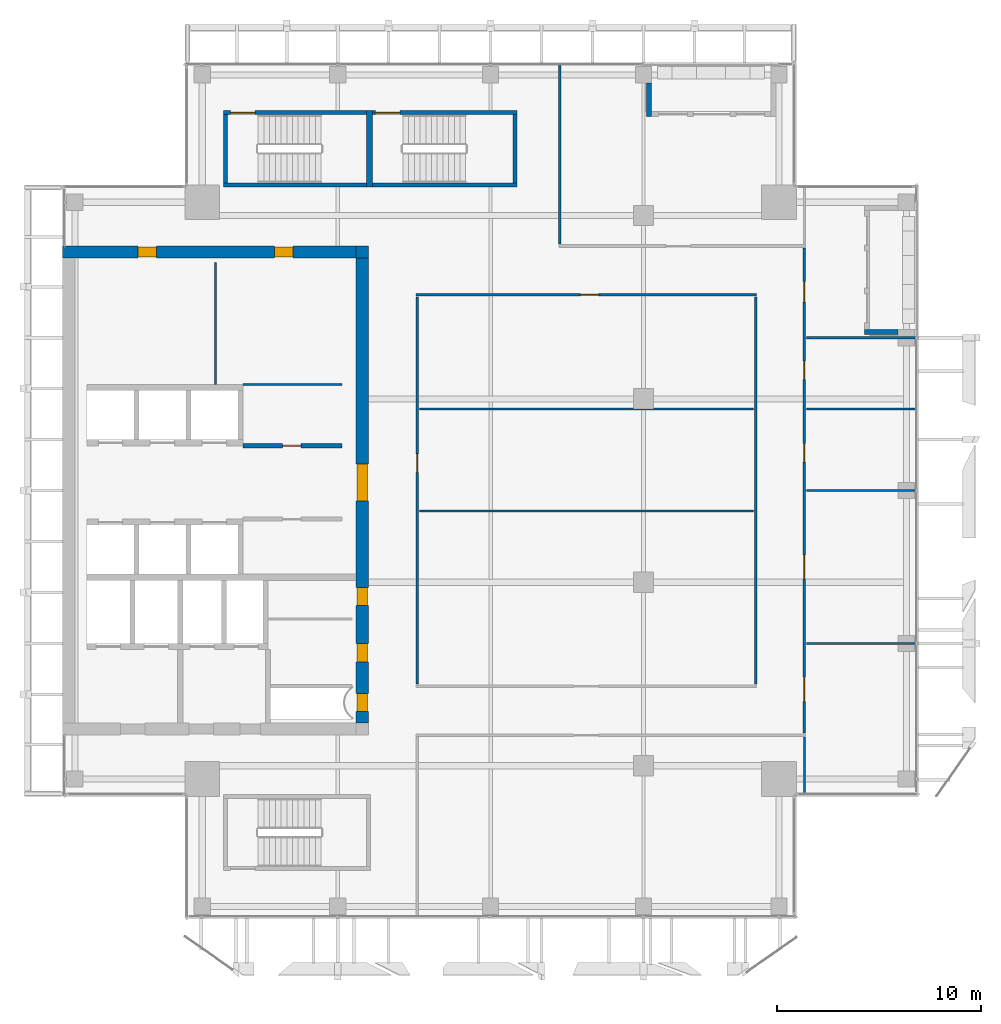
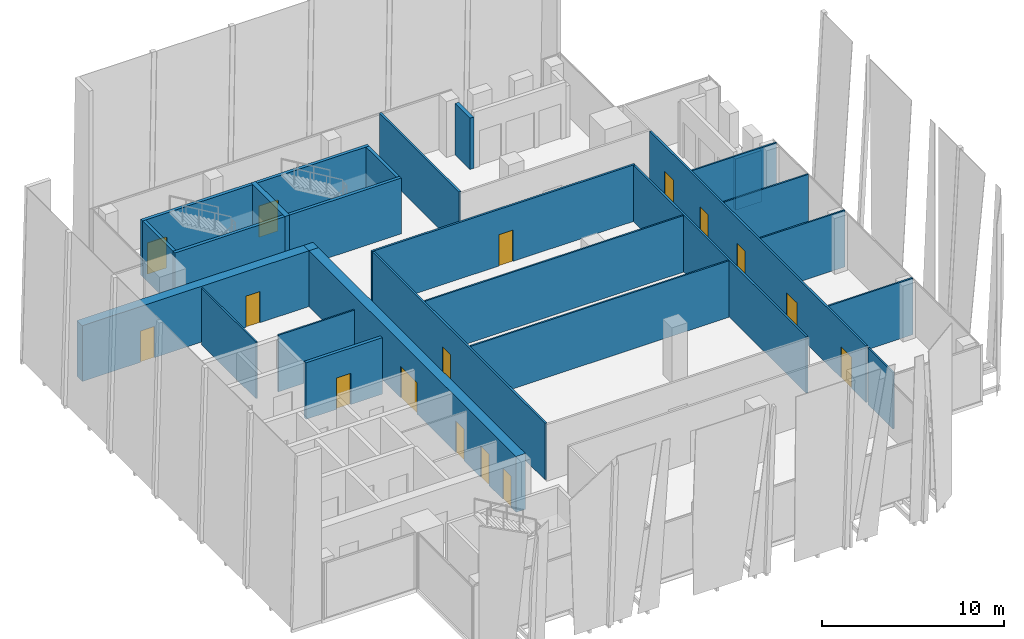
# One storey, part 27 of 32: 27 walls, 16 doors, 16 openings.
"""IFC4 building model written with IfcOpenShell, lengths in metres."""

from ifc_helpers import new_model, si_unit, direction, frame, frame_2d, origin, place, context, subcontext, project, spatial, rectangle, extrude, source, transform, mapped, material, layer, layer_set, type_object, element, fill, save


model = new_model("IFC4")

# Units and contexts
model_context = context("Model", 3, precision=1e-05, world=origin(), true_north=direction((0.0, 1.0)))
body_context = subcontext(model_context, "Body", "Model", "MODEL_VIEW")
ifc_project = project(units=[si_unit("LENGTHUNIT", "METRE"), si_unit("AREAUNIT", "SQUARE_METRE"), si_unit("VOLUMEUNIT", "CUBIC_METRE"), si_unit("PLANEANGLEUNIT", "RADIAN"), si_unit("MASSUNIT", "GRAM", prefix="KILO")], contexts=[model_context])

# Site, building, storey
site_placement = place(None, origin())
site = spatial("IfcSite", under=ifc_project, at=site_placement, CompositionType="ELEMENT")
building_placement = place(site_placement, origin())
building = spatial("IfcBuilding", under=site, at=building_placement, Name="Khomas Fold Tower", CompositionType="ELEMENT")
storey_placement = place(building_placement, frame((0.0, 0.0, 306.199951171875)))
storey = spatial("IfcBuildingStorey", under=building, at=storey_placement, Name="L69", CompositionType="ELEMENT", Elevation=306.199951171875)

# Wall, opening, door
ifc_material_1 = material(Name="Concrete C50/60", Category="concrete")
ifc_layer_1 = layer(ifc_material_1, 0.199951171875)
ifc_layer_set_1 = layer_set([ifc_layer_1], Name="Concrete C50/60")
wall_type_1 = type_object("IfcWallType", Name="Stair wall 200", PredefinedType="SHEAR", material=ifc_layer_set_1)
shared_shape_1 = source(origin(), body_context, "Body", "SweptSolid", [
    extrude(rectangle(XDim=7.0, YDim=0.199951171875, at=frame_2d((3.5, 0.0))), origin(), (0.0, 0.0, 1.0), 3.75),
])
wall_1_placement = place(storey_placement, frame((13.89990234375, 45.550048828125, 0.0), z_axis=(0.0, 0.0, 1.0), x_axis=(1.0, 0.0, 0.0)))
wall_1 = element("IfcWall", 1, at=wall_1_placement, inside=storey, type_object=wall_type_1, Name="Stair wall SW-ST1-N", PredefinedType="SHEAR", context=body_context, shape_type="MappedRepresentation", body=[
    mapped(shared_shape_1, transform((0.0, 0.0, 0.0))),
])
shared_shape_2 = source(origin(), body_context, "Body", "SweptSolid", [
    extrude(rectangle(XDim=1.199951171875, YDim=2.10009765625, at=frame_2d((0.60009765625, 1.050048828125))), frame((0.0, 0.10986328125, 0.0), z_axis=(0.0, -1.0, 0.0), x_axis=(1.0, 0.0, 0.0)), (0.0, 0.0, 1.0), 0.219970703125),
])
opening_1_placement = place(wall_1_placement, frame((0.35009765625, 0.0, 0.0)))
opening_1 = element("IfcOpeningElement", 2, at=opening_1_placement, cuts=wall_1, Name="Opening SD-ST1", PredefinedType="OPENING", context=body_context, shape_type="MappedRepresentation", body=[
    mapped(shared_shape_2, transform((0.0, 0.0, 0.0))),
])
ifc_material_2 = material(Name="Steel door leaf", Category="steel")
door_type_1 = type_object("IfcDoorType", Name="Stair door 1200x2100 left-hand", OperationType="SINGLE_SWING_LEFT", PredefinedType="DOOR", material=ifc_material_2)
shared_shape_3 = source(origin(), body_context, "Body", "SweptSolid", [
    extrude(rectangle(XDim=1.199951171875, YDim=2.10009765625, at=frame_2d((0.60009765625, 1.050048828125))), frame((0.0, 0.02490234375, 0.0), z_axis=(0.0, -1.0, 0.0), x_axis=(1.0, 0.0, 0.0)), (0.0, 0.0, 1.0), 0.050048828125),
])
door_1_placement = place(opening_1_placement, origin())
door_1 = element("IfcDoor", 3, at=door_1_placement, inside=storey, type_object=door_type_1, Name="Stair door", OperationType="SINGLE_SWING_LEFT", OverallHeight=2.10009765625, OverallWidth=1.199951171875, PredefinedType="DOOR", context=body_context, shape_type="MappedRepresentation", body=[
    mapped(shared_shape_3, transform((0.0, 0.0, 0.0))),
])
fill(opening_1, door_1)

# Wall
wall_2_placement = place(storey_placement, frame((13.89990234375, 42.0, 0.0), z_axis=(0.0, 0.0, 1.0), x_axis=(1.0, 0.0, 0.0)))
element("IfcWall", 4, at=wall_2_placement, inside=storey, type_object=wall_type_1, Name="Stair wall SW-ST1-S", PredefinedType="SHEAR", context=body_context, shape_type="MappedRepresentation", body=[
    mapped(shared_shape_1, transform((0.0, 0.0, 0.0))),
])

# Wall, opening, door
shared_shape_4 = source(origin(), body_context, "Body", "SweptSolid", [
    extrude(rectangle(XDim=7.10009765625, YDim=0.199951171875, at=frame_2d((3.550048828125, 0.0))), origin(), (0.0, 0.0, 1.0), 3.75),
])
wall_3_placement = place(storey_placement, frame((21.199951171875, 45.550048828125, 0.0), z_axis=(0.0, 0.0, 1.0), x_axis=(1.0, 0.0, 0.0)))
wall_3 = element("IfcWall", 5, at=wall_3_placement, inside=storey, type_object=wall_type_1, Name="Stair wall SW-ST3-N", PredefinedType="SHEAR", context=body_context, shape_type="MappedRepresentation", body=[
    mapped(shared_shape_4, transform((0.0, 0.0, 0.0))),
])
opening_2_placement = place(wall_3_placement, frame((0.14990234375, 0.0, 0.0)))
opening_2 = element("IfcOpeningElement", 6, at=opening_2_placement, cuts=wall_3, Name="Opening SD-ST3", PredefinedType="OPENING", context=body_context, shape_type="MappedRepresentation", body=[
    mapped(shared_shape_2, transform((0.0, 0.0, 0.0))),
])
door_2_placement = place(opening_2_placement, origin())
door_2 = element("IfcDoor", 7, at=door_2_placement, inside=storey, type_object=door_type_1, Name="Stair door", OperationType="SINGLE_SWING_LEFT", OverallHeight=2.10009765625, OverallWidth=1.199951171875, PredefinedType="DOOR", context=body_context, shape_type="MappedRepresentation", body=[
    mapped(shared_shape_3, transform((0.0, 0.0, 0.0))),
])
fill(opening_2, door_2)

# Walls
wall_4_placement = place(storey_placement, frame((21.199951171875, 42.0, 0.0), z_axis=(0.0, 0.0, 1.0), x_axis=(1.0, 0.0, 0.0)))
element("IfcWall", 8, at=wall_4_placement, inside=storey, type_object=wall_type_1, Name="Stair wall SW-ST3-S", PredefinedType="SHEAR", context=body_context, shape_type="MappedRepresentation", body=[
    mapped(shared_shape_4, transform((0.0, 0.0, 0.0))),
])
ifc_material_3 = material(Name="Concrete C50/60", Category="concrete")
ifc_layer_2 = layer(ifc_material_3, 0.300048828125)
ifc_layer_set_2 = layer_set([ifc_layer_2], Name="Concrete C50/60")
wall_type_2 = type_object("IfcWallType", Name="Stair wall 300", PredefinedType="SHEAR", material=ifc_layer_set_2)
shared_shape_5 = source(origin(), body_context, "Body", "SweptSolid", [
    extrude(rectangle(XDim=3.75, YDim=0.300048828125, at=frame_2d((1.875, 0.0))), origin(), (0.0, 0.0, 1.0), 3.75),
])
wall_5_placement = place(storey_placement, frame((21.050048828125, 41.89990234375, 0.0), z_axis=(0.0, 0.0, 1.0), x_axis=(0.0, 1.0, 0.0)))
element("IfcWall", 9, at=wall_5_placement, inside=storey, type_object=wall_type_2, Name="Stair wall SW-ST1-E", PredefinedType="SHEAR", context=body_context, shape_type="MappedRepresentation", body=[
    mapped(shared_shape_5, transform((0.0, 0.0, 0.0))),
])
shared_shape_6 = source(origin(), body_context, "Body", "SweptSolid", [
    extrude(rectangle(XDim=3.349853515625, YDim=0.199951171875, at=frame_2d((1.6748046875, 0.0))), origin(), (0.0, 0.0, 1.0), 3.75),
])
for number, where, z_axis, x_axis, name in (
    (10, (14.0, 42.10009765625, 0.0), (0.0, 0.0, 1.0), (0.0, 1.0, 0.0), "Stair wall SW-ST1-W"),
    (11, (28.199951171875, 42.10009765625, 0.0), (0.0, 0.0, 1.0), (0.0, 1.0, 0.0), "Stair wall SW-ST3-E"),
):
    element("IfcWall", number, at=place(storey_placement, frame(where, z_axis=z_axis, x_axis=x_axis)), inside=storey, type_object=wall_type_1, Name=name, PredefinedType="SHEAR", context=body_context, shape_type="MappedRepresentation", body=[
        mapped(shared_shape_6, transform((0.0, 0.0, 0.0))),
    ])

# Wall, openings, doors
ifc_material_4 = material(Name="Concrete C50/60", Category="concrete")
ifc_layer_3 = layer(ifc_material_4, 0.60009765625)
ifc_layer_set_3 = layer_set([ifc_layer_3], Name="Concrete C50/60")
wall_type_3 = type_object("IfcWallType", Name="Core wall 600", PredefinedType="SHEAR", material=ifc_layer_set_3)
shared_shape_7 = source(origin(), body_context, "Body", "SweptSolid", [
    extrude(rectangle(XDim=14.39990234375, YDim=0.60009765625, at=frame_2d((7.199951171875, 0.0))), origin(), (0.0, 0.0, 1.0), 3.75),
])
wall_6_placement = place(storey_placement, frame((6.0, 38.699951171875, 0.0), z_axis=(0.0, 0.0, 1.0), x_axis=(1.0, 0.0, 0.0)))
wall_6 = element("IfcWall", 12, at=wall_6_placement, inside=storey, type_object=wall_type_3, Name="Core wall CW-U-N-L63", PredefinedType="SHEAR", context=body_context, shape_type="MappedRepresentation", body=[
    mapped(shared_shape_7, transform((0.0, 0.0, 0.0))),
])
shared_shape_8 = source(origin(), body_context, "Body", "SweptSolid", [
    extrude(rectangle(XDim=0.89990234375, YDim=2.10009765625, at=frame_2d((0.449951171875, 1.050048828125))), frame((0.0, 0.31005859375, 0.0), z_axis=(0.0, -1.0, 0.0), x_axis=(1.0, 0.0, 0.0)), (0.0, 0.0, 1.0), 0.6201171875),
])
opening_3_placement = place(wall_6_placement, frame((3.699951171875, 0.0, 0.0)))
opening_3 = element("IfcOpeningElement", 13, at=opening_3_placement, cuts=wall_6, Name="Opening 0008", PredefinedType="OPENING", context=body_context, shape_type="MappedRepresentation", body=[
    mapped(shared_shape_8, transform((0.0, 0.0, 0.0))),
])
opening_4_placement = place(wall_6_placement, frame((10.39990234375, 0.0, 0.0)))
opening_4 = element("IfcOpeningElement", 14, at=opening_4_placement, cuts=wall_6, Name="Opening 0008", PredefinedType="OPENING", context=body_context, shape_type="MappedRepresentation", body=[
    mapped(shared_shape_8, transform((0.0, 0.0, 0.0))),
])
ifc_material_5 = material(Name="Timber door leaf", Category="wood")
door_type_2 = type_object("IfcDoorType", Name="Door 900x2100 right-hand", OperationType="SINGLE_SWING_RIGHT", PredefinedType="DOOR", material=ifc_material_5)
shared_shape_9 = source(origin(), body_context, "Body", "SweptSolid", [
    extrude(rectangle(XDim=0.89990234375, YDim=2.10009765625, at=frame_2d((0.449951171875, 1.050048828125))), frame((0.0, 0.25, 0.0), z_axis=(0.0, -1.0, 0.0), x_axis=(1.0, 0.0, 0.0)), (0.0, 0.0, 1.0), 0.5),
])
door_3_placement = place(opening_3_placement, origin())
door_3 = element("IfcDoor", 15, at=door_3_placement, inside=storey, type_object=door_type_2, Name="Door", OperationType="SINGLE_SWING_RIGHT", OverallHeight=2.10009765625, OverallWidth=0.89990234375, PredefinedType="DOOR", context=body_context, shape_type="MappedRepresentation", body=[
    mapped(shared_shape_9, transform((0.0, 0.0, 0.0))),
])
fill(opening_3, door_3)
door_4_placement = place(opening_4_placement, origin())
door_4 = element("IfcDoor", 16, at=door_4_placement, inside=storey, type_object=door_type_2, Name="Door", OperationType="SINGLE_SWING_RIGHT", OverallHeight=2.10009765625, OverallWidth=0.89990234375, PredefinedType="DOOR", context=body_context, shape_type="MappedRepresentation", body=[
    mapped(shared_shape_9, transform((0.0, 0.0, 0.0))),
])
fill(opening_4, door_4)

# Wall
ifc_material_6 = material(Name="Concrete C50/60", Category="concrete")
ifc_layer_4 = layer(ifc_material_6, 0.60009765625)
ifc_layer_set_4 = layer_set([ifc_layer_4], Name="Concrete C50/60")
wall_type_4 = type_object("IfcWallType", Name="Core corner wall 600", PredefinedType="SHEAR", material=ifc_layer_set_4)
shared_shape_10 = source(origin(), body_context, "Body", "SweptSolid", [
    extrude(rectangle(XDim=0.60009765625, YDim=0.60009765625, at=frame_2d((0.300048828125, 0.0))), origin(), (0.0, 0.0, 1.0), 3.75),
])
wall_7_placement = place(storey_placement, frame((20.39990234375, 38.699951171875, 0.0), z_axis=(0.0, 0.0, 1.0), x_axis=(1.0, 0.0, 0.0)))
element("IfcWall", 17, at=wall_7_placement, inside=storey, type_object=wall_type_4, Name="Core wall CW-U-NE-L63", PredefinedType="SHEAR", context=body_context, shape_type="MappedRepresentation", body=[
    mapped(shared_shape_10, transform((0.0, 0.0, 0.0))),
])

# Wall, openings, doors
shared_shape_11 = source(origin(), body_context, "Body", "SweptSolid", [
    extrude(rectangle(XDim=22.7998046875, YDim=0.60009765625, at=frame_2d((11.39990234375, 0.0))), origin(), (0.0, 0.0, 1.0), 3.75),
])
wall_8_placement = place(storey_placement, frame((20.699951171875, 15.60009765625, 0.0), z_axis=(0.0, 0.0, 1.0), x_axis=(0.0, 1.0, 0.0)))
wall_8 = element("IfcWall", 18, at=wall_8_placement, inside=storey, type_object=wall_type_3, Name="Core wall CW-U-E-L63", PredefinedType="SHEAR", context=body_context, shape_type="MappedRepresentation", body=[
    mapped(shared_shape_11, transform((0.0, 0.0, 0.0))),
])
shared_shape_12 = source(origin(), body_context, "Body", "SweptSolid", [
    extrude(rectangle(XDim=1.800048828125, YDim=2.10009765625, at=frame_2d((0.89990234375, 1.050048828125))), frame((0.0, 0.31005859375, 0.0), z_axis=(0.0, -1.0, 0.0), x_axis=(1.0, 0.0, 0.0)), (0.0, 0.0, 1.0), 0.6201171875),
])
opening_5_placement = place(wall_8_placement, frame((10.89990234375, 0.0, 0.0)))
opening_5 = element("IfcOpeningElement", 19, at=opening_5_placement, cuts=wall_8, Name="Opening 0015", PredefinedType="OPENING", context=body_context, shape_type="MappedRepresentation", body=[
    mapped(shared_shape_12, transform((0.0, 0.0, 0.0))),
])
opening_6_placement = place(wall_8_placement, frame((0.550048828125, 0.0, 0.0)))
opening_6 = element("IfcOpeningElement", 20, at=opening_6_placement, cuts=wall_8, Name="Opening 0003", PredefinedType="OPENING", context=body_context, shape_type="MappedRepresentation", body=[
    mapped(shared_shape_8, transform((0.0, 0.0, 0.0))),
])
opening_7_placement = place(wall_8_placement, frame((3.0, 0.0, 0.0)))
opening_7 = element("IfcOpeningElement", 21, at=opening_7_placement, cuts=wall_8, Name="Opening 0008", PredefinedType="OPENING", context=body_context, shape_type="MappedRepresentation", body=[
    mapped(shared_shape_8, transform((0.0, 0.0, 0.0))),
])
opening_8_placement = place(wall_8_placement, frame((5.75, 0.0, 0.0)))
opening_8 = element("IfcOpeningElement", 22, at=opening_8_placement, cuts=wall_8, Name="Opening 0008", PredefinedType="OPENING", context=body_context, shape_type="MappedRepresentation", body=[
    mapped(shared_shape_8, transform((0.0, 0.0, 0.0))),
])
ifc_material_7 = material(Name="Steel door leaf", Category="steel")
door_type_3 = type_object("IfcDoorType", Name="Lobby door 1800x2100", OperationType="DOUBLE_DOOR_SINGLE_SWING", PredefinedType="DOOR", material=ifc_material_7)
shared_shape_13 = source(origin(), body_context, "Body", "SweptSolid", [
    extrude(rectangle(XDim=1.800048828125, YDim=2.10009765625, at=frame_2d((0.89990234375, 1.050048828125))), frame((0.0, 0.25, 0.0), z_axis=(0.0, -1.0, 0.0), x_axis=(1.0, 0.0, 0.0)), (0.0, 0.0, 1.0), 0.5),
])
door_5_placement = place(opening_5_placement, origin())
door_5 = element("IfcDoor", 23, at=door_5_placement, inside=storey, type_object=door_type_3, Name="Lobby door", OperationType="DOUBLE_DOOR_SINGLE_SWING", OverallHeight=2.10009765625, OverallWidth=1.800048828125, PredefinedType="DOOR", context=body_context, shape_type="MappedRepresentation", body=[
    mapped(shared_shape_13, transform((0.0, 0.0, 0.0))),
])
fill(opening_5, door_5)
ifc_material_8 = material(Name="Steel door leaf", Category="steel")
door_type_4 = type_object("IfcDoorType", Name="Plant room door 900x2100 right-hand", OperationType="SINGLE_SWING_RIGHT", PredefinedType="DOOR", material=ifc_material_8)
door_6_placement = place(opening_6_placement, origin())
door_6 = element("IfcDoor", 24, at=door_6_placement, inside=storey, type_object=door_type_4, Name="Plant room door", OperationType="SINGLE_SWING_RIGHT", OverallHeight=2.10009765625, OverallWidth=0.89990234375, PredefinedType="DOOR", context=body_context, shape_type="MappedRepresentation", body=[
    mapped(shared_shape_9, transform((0.0, 0.0, 0.0))),
])
fill(opening_6, door_6)
door_7_placement = place(opening_7_placement, origin())
door_7 = element("IfcDoor", 25, at=door_7_placement, inside=storey, type_object=door_type_2, Name="Door", OperationType="SINGLE_SWING_RIGHT", OverallHeight=2.10009765625, OverallWidth=0.89990234375, PredefinedType="DOOR", context=body_context, shape_type="MappedRepresentation", body=[
    mapped(shared_shape_9, transform((0.0, 0.0, 0.0))),
])
fill(opening_7, door_7)
door_8_placement = place(opening_8_placement, origin())
door_8 = element("IfcDoor", 26, at=door_8_placement, inside=storey, type_object=door_type_2, Name="Door", OperationType="SINGLE_SWING_RIGHT", OverallHeight=2.10009765625, OverallWidth=0.89990234375, PredefinedType="DOOR", context=body_context, shape_type="MappedRepresentation", body=[
    mapped(shared_shape_9, transform((0.0, 0.0, 0.0))),
])
fill(opening_8, door_8)

# Walls
ifc_material_9 = material(Name="Natural stone", Category="masonry")
ifc_layer_5 = layer(ifc_material_9, 0.0400390625)
ifc_material_10 = material(Name="Mineral wool insulation", Category="insulation")
ifc_layer_6 = layer(ifc_material_10, 0.10009765625)
ifc_material_11 = material(Name="Masonry", Category="masonry")
ifc_layer_7 = layer(ifc_material_11, 0.110107421875)
ifc_layer_set_5 = layer_set([ifc_layer_5, ifc_layer_6, ifc_layer_7], Name="Stone-faced insulated masonry")
wall_type_5 = type_object("IfcWallType", Name="BL-Balcony wall", PredefinedType="SOLIDWALL", material=ifc_layer_set_5)
shared_shape_14 = source(origin(), body_context, "Body", "SweptSolid", [
    extrude(rectangle(XDim=1.64990234375, YDim=0.25, at=frame_2d((0.824951171875, 0.0))), origin(), (0.0, 0.0, 1.0), 3.449951171875),
])
for number, where, z_axis, x_axis, name in (
    (27, (47.0, 34.77490234375, 0.0), (0.0, 0.0, 1.0), (-1.0, 0.0, 0.0), "Balcony return wall BAL-L69-E4-lo"),
    (28, (34.77490234375, 47.0, 0.0), (0.0, 0.0, 1.0), (0.0, -1.0, 0.0), "Balcony return wall BAL-L69-N4-lo"),
):
    element("IfcWall", number, at=place(storey_placement, frame(where, z_axis=z_axis, x_axis=x_axis)), inside=storey, type_object=wall_type_5, Name=name, PredefinedType="SOLIDWALL", context=body_context, shape_type="MappedRepresentation", body=[
        mapped(shared_shape_14, transform((0.0, 0.0, 0.0))),
    ])
ifc_material_12 = material(Name="Plasterboard partition")
ifc_layer_8 = layer(ifc_material_12, 0.10009765625)
ifc_layer_set_6 = layer_set([ifc_layer_8], Name="Plasterboard partition")
wall_type_6 = type_object("IfcWallType", Name="Partition PW1 100", PredefinedType="PARTITIONING", material=ifc_layer_set_6)
shared_shape_15 = source(origin(), body_context, "Body", "SweptSolid", [
    extrude(rectangle(XDim=6.0, YDim=0.10009765625, at=frame_2d((3.0, 0.0))), origin(), (0.0, 0.0, 1.0), 3.800048828125),
])
wall_9_placement = place(storey_placement, frame((13.5, 32.199951171875, 0.0), z_axis=(0.0, 0.0, 1.0), x_axis=(0.0, 1.0, 0.0)))
element("IfcWall", 29, at=wall_9_placement, inside=storey, type_object=wall_type_6, Name="Partition", PredefinedType="PARTITIONING", context=body_context, shape_type="MappedRepresentation", body=[
    mapped(shared_shape_15, transform((0.0, 0.0, 0.0))),
])

# Wall, opening, door
ifc_material_13 = material(Name="Plasterboard partition")
ifc_layer_9 = layer(ifc_material_13, 0.125)
ifc_layer_set_7 = layer_set([ifc_layer_9], Name="Plasterboard partition")
wall_type_7 = type_object("IfcWallType", Name="Partition PW2 125", PredefinedType="PARTITIONING", material=ifc_layer_set_7)
shared_shape_16 = source(origin(), body_context, "Body", "SweptSolid", [
    extrude(rectangle(XDim=19.0, YDim=0.125, at=frame_2d((9.5, 0.0))), origin(), (0.0, 0.0, 1.0), 3.800048828125),
])
wall_10_placement = place(storey_placement, frame((23.39990234375, 17.5, 0.0), z_axis=(0.0, 0.0, 1.0), x_axis=(0.0, 1.0, 0.0)))
wall_10 = element("IfcWall", 30, at=wall_10_placement, inside=storey, type_object=wall_type_7, Name="Partition", PredefinedType="PARTITIONING", context=body_context, shape_type="MappedRepresentation", body=[
    mapped(shared_shape_16, transform((0.0, 0.0, 0.0))),
])
shared_shape_17 = source(origin(), body_context, "Body", "SweptSolid", [
    extrude(rectangle(XDim=0.89990234375, YDim=2.10009765625, at=frame_2d((0.449951171875, 1.050048828125))), frame((0.0, 0.072509765625, 0.0), z_axis=(0.0, -1.0, 0.0), x_axis=(1.0, 0.0, 0.0)), (0.0, 0.0, 1.0), 0.14501953125),
])
opening_9_placement = place(wall_10_placement, frame((10.39990234375, 0.0, 0.0)))
opening_9 = element("IfcOpeningElement", 31, at=opening_9_placement, cuts=wall_10, Name="Opening 0007", PredefinedType="OPENING", context=body_context, shape_type="MappedRepresentation", body=[
    mapped(shared_shape_17, transform((0.0, 0.0, 0.0))),
])
ifc_material_14 = material(Name="Timber door leaf", Category="wood")
door_type_5 = type_object("IfcDoorType", Name="Door 900x2100 left-hand", OperationType="SINGLE_SWING_LEFT", PredefinedType="DOOR", material=ifc_material_14)
shared_shape_18 = source(origin(), body_context, "Body", "SweptSolid", [
    extrude(rectangle(XDim=0.89990234375, YDim=2.10009765625, at=frame_2d((0.449951171875, 1.050048828125))), frame((0.0, 0.02490234375, 0.0), z_axis=(0.0, -1.0, 0.0), x_axis=(1.0, 0.0, 0.0)), (0.0, 0.0, 1.0), 0.050048828125),
])
door_9_placement = place(opening_9_placement, origin())
door_9 = element("IfcDoor", 32, at=door_9_placement, inside=storey, type_object=door_type_5, Name="Door", OperationType="SINGLE_SWING_LEFT", OverallHeight=2.10009765625, OverallWidth=0.89990234375, PredefinedType="DOOR", context=body_context, shape_type="MappedRepresentation", body=[
    mapped(shared_shape_18, transform((0.0, 0.0, 0.0))),
])
fill(opening_9, door_9)

# Wall
wall_11_placement = place(storey_placement, frame((40.0, 17.5, 0.0), z_axis=(0.0, 0.0, 1.0), x_axis=(0.0, 1.0, 0.0)))
element("IfcWall", 33, at=wall_11_placement, inside=storey, type_object=wall_type_7, Name="Partition", PredefinedType="PARTITIONING", context=body_context, shape_type="MappedRepresentation", body=[
    mapped(shared_shape_16, transform((0.0, 0.0, 0.0))),
])

# Wall, opening, door
ifc_material_15 = material(Name="Concrete C30/37", Category="concrete")
ifc_layer_10 = layer(ifc_material_15, 0.199951171875)
ifc_layer_set_8 = layer_set([ifc_layer_10], Name="Concrete C30/37")
wall_type_8 = type_object("IfcWallType", Name="Lobby wall PW4 200", PredefinedType="PARTITIONING", material=ifc_layer_set_8)
shared_shape_19 = source(origin(), body_context, "Body", "SweptSolid", [
    extrude(rectangle(XDim=4.849853515625, YDim=0.199951171875, at=frame_2d((2.4248046875, 0.0))), origin(), (0.0, 0.0, 1.0), 3.800048828125),
])
wall_12_placement = place(storey_placement, frame((14.85009765625, 29.199951171875, 0.0), z_axis=(0.0, 0.0, 1.0), x_axis=(1.0, 0.0, 0.0)))
wall_12 = element("IfcWall", 34, at=wall_12_placement, inside=storey, type_object=wall_type_8, Name="Lobby wall", PredefinedType="PARTITIONING", context=body_context, shape_type="MappedRepresentation", body=[
    mapped(shared_shape_19, transform((0.0, 0.0, 0.0))),
])
shared_shape_20 = source(origin(), body_context, "Body", "SweptSolid", [
    extrude(rectangle(XDim=0.89990234375, YDim=2.10009765625, at=frame_2d((0.449951171875, 1.050048828125))), frame((0.0, 0.10986328125, 0.0), z_axis=(0.0, -1.0, 0.0), x_axis=(1.0, 0.0, 0.0)), (0.0, 0.0, 1.0), 0.219970703125),
])
opening_10_placement = place(wall_12_placement, frame((1.949951171875, 0.0, 0.0)))
opening_10 = element("IfcOpeningElement", 35, at=opening_10_placement, cuts=wall_12, Name="Opening 0021", PredefinedType="OPENING", context=body_context, shape_type="MappedRepresentation", body=[
    mapped(shared_shape_20, transform((0.0, 0.0, 0.0))),
])
ifc_material_16 = material(Name="Steel door leaf", Category="steel")
door_type_6 = type_object("IfcDoorType", Name="Lobby door 900x2100 left-hand", OperationType="SINGLE_SWING_LEFT", PredefinedType="DOOR", material=ifc_material_16)
door_10_placement = place(opening_10_placement, origin())
door_10 = element("IfcDoor", 36, at=door_10_placement, inside=storey, type_object=door_type_6, Name="Lobby door", OperationType="SINGLE_SWING_LEFT", OverallHeight=2.10009765625, OverallWidth=0.89990234375, PredefinedType="DOOR", context=body_context, shape_type="MappedRepresentation", body=[
    mapped(shared_shape_18, transform((0.0, 0.0, 0.0))),
])
fill(opening_10, door_10)

# Walls
shared_shape_21 = source(origin(), body_context, "Body", "SweptSolid", [
    extrude(rectangle(XDim=8.75, YDim=0.125, at=frame_2d((4.375, 0.0))), origin(), (0.0, 0.0, 1.0), 3.800048828125),
])
wall_13_placement = place(storey_placement, frame((30.39990234375, 39.10009765625, 0.0), z_axis=(0.0, 0.0, 1.0), x_axis=(0.0, 1.0, 0.0)))
element("IfcWall", 37, at=wall_13_placement, inside=storey, type_object=wall_type_7, Name="Partition", PredefinedType="PARTITIONING", context=body_context, shape_type="MappedRepresentation", body=[
    mapped(shared_shape_21, transform((0.0, 0.0, 0.0))),
])
shared_shape_22 = source(origin(), body_context, "Body", "SweptSolid", [
    extrude(rectangle(XDim=2.75, YDim=0.10009765625, at=frame_2d((1.375, 0.0))), origin(), (0.0, 0.0, 1.0), 3.800048828125),
])
wall_14_placement = place(storey_placement, frame((42.39990234375, 12.14990234375, 0.0), z_axis=(0.0, 0.0, 1.0), x_axis=(0.0, 1.0, 0.0)))
element("IfcWall", 38, at=wall_14_placement, inside=storey, type_object=wall_type_6, Name="Partition", PredefinedType="PARTITIONING", context=body_context, shape_type="MappedRepresentation", body=[
    mapped(shared_shape_22, transform((0.0, 0.0, 0.0))),
])

# Wall, openings, doors
shared_shape_23 = source(origin(), body_context, "Body", "SweptSolid", [
    extrude(rectangle(XDim=23.7998046875, YDim=0.125, at=frame_2d((11.89990234375, 0.0))), origin(), (0.0, 0.0, 1.0), 3.800048828125),
])
wall_15_placement = place(storey_placement, frame((42.39990234375, 15.10009765625, 0.0), z_axis=(0.0, 0.0, 1.0), x_axis=(0.0, 1.0, 0.0)))
wall_15 = element("IfcWall", 39, at=wall_15_placement, inside=storey, type_object=wall_type_7, Name="Partition", PredefinedType="PARTITIONING", context=body_context, shape_type="MappedRepresentation", body=[
    mapped(shared_shape_23, transform((0.0, 0.0, 0.0))),
])
shared_shape_24 = source(origin(), body_context, "Body", "SweptSolid", [
    extrude(rectangle(XDim=1.199951171875, YDim=2.10009765625, at=frame_2d((0.60009765625, 1.050048828125))), frame((0.0, 0.072509765625, 0.0), z_axis=(0.0, -1.0, 0.0), x_axis=(1.0, 0.0, 0.0)), (0.0, 0.0, 1.0), 0.14501953125),
])
opening_11_placement = place(wall_15_placement, frame((1.550048828125, 0.0, 0.0)))
opening_11 = element("IfcOpeningElement", 40, at=opening_11_placement, cuts=wall_15, Name="Opening 0013", PredefinedType="OPENING", context=body_context, shape_type="MappedRepresentation", body=[
    mapped(shared_shape_24, transform((0.0, 0.0, 0.0))),
])
opening_12_placement = place(wall_15_placement, frame((7.550048828125, 0.0, 0.0)))
opening_12 = element("IfcOpeningElement", 41, at=opening_12_placement, cuts=wall_15, Name="Opening 0013", PredefinedType="OPENING", context=body_context, shape_type="MappedRepresentation", body=[
    mapped(shared_shape_24, transform((0.0, 0.0, 0.0))),
])
opening_13_placement = place(wall_15_placement, frame((13.300048828125, 0.0, 0.0)))
opening_13 = element("IfcOpeningElement", 42, at=opening_13_placement, cuts=wall_15, Name="Opening 0005", PredefinedType="OPENING", context=body_context, shape_type="MappedRepresentation", body=[
    mapped(shared_shape_17, transform((0.0, 0.0, 0.0))),
])
opening_14_placement = place(wall_15_placement, frame((17.35009765625, 0.0, 0.0)))
opening_14 = element("IfcOpeningElement", 43, at=opening_14_placement, cuts=wall_15, Name="Opening 0004", PredefinedType="OPENING", context=body_context, shape_type="MappedRepresentation", body=[
    mapped(shared_shape_17, transform((0.0, 0.0, 0.0))),
])
shared_shape_25 = source(origin(), body_context, "Body", "SweptSolid", [
    extrude(rectangle(XDim=1.0, YDim=2.10009765625, at=frame_2d((0.5, 1.050048828125))), frame((0.0, 0.072509765625, 0.0), z_axis=(0.0, -1.0, 0.0), x_axis=(1.0, 0.0, 0.0)), (0.0, 0.0, 1.0), 0.14501953125),
])
opening_15_placement = place(wall_15_placement, frame((21.14990234375, 0.0, 0.0)))
opening_15 = element("IfcOpeningElement", 44, at=opening_15_placement, cuts=wall_15, Name="Opening 0006", PredefinedType="OPENING", context=body_context, shape_type="MappedRepresentation", body=[
    mapped(shared_shape_25, transform((0.0, 0.0, 0.0))),
])
ifc_material_17 = material(Name="Timber door leaf", Category="wood")
door_type_7 = type_object("IfcDoorType", Name="WC door 900x2100 left-hand", OperationType="SINGLE_SWING_LEFT", PredefinedType="DOOR", material=ifc_material_17)
door_11_placement = place(opening_13_placement, origin())
door_11 = element("IfcDoor", 45, at=door_11_placement, inside=storey, type_object=door_type_7, Name="WC door", OperationType="SINGLE_SWING_LEFT", OverallHeight=2.10009765625, OverallWidth=0.89990234375, PredefinedType="DOOR", context=body_context, shape_type="MappedRepresentation", body=[
    mapped(shared_shape_18, transform((0.0, 0.0, 0.0))),
])
fill(opening_13, door_11)
ifc_material_18 = material(Name="Timber door leaf", Category="wood")
door_type_8 = type_object("IfcDoorType", Name="WC door 900x2100 right-hand", OperationType="SINGLE_SWING_RIGHT", PredefinedType="DOOR", material=ifc_material_18)
door_12_placement = place(opening_14_placement, origin())
door_12 = element("IfcDoor", 46, at=door_12_placement, inside=storey, type_object=door_type_8, Name="WC door", OperationType="SINGLE_SWING_RIGHT", OverallHeight=2.10009765625, OverallWidth=0.89990234375, PredefinedType="DOOR", context=body_context, shape_type="MappedRepresentation", body=[
    mapped(shared_shape_18, transform((0.0, 0.0, 0.0))),
])
fill(opening_14, door_12)
ifc_material_19 = material(Name="Timber door leaf", Category="wood")
door_type_9 = type_object("IfcDoorType", Name="WC door 1000x2100 right-hand", OperationType="SINGLE_SWING_RIGHT", PredefinedType="DOOR", material=ifc_material_19)
shared_shape_26 = source(origin(), body_context, "Body", "SweptSolid", [
    extrude(rectangle(XDim=1.0, YDim=2.10009765625, at=frame_2d((0.5, 1.050048828125))), frame((0.0, 0.02490234375, 0.0), z_axis=(0.0, -1.0, 0.0), x_axis=(1.0, 0.0, 0.0)), (0.0, 0.0, 1.0), 0.050048828125),
])
door_13_placement = place(opening_15_placement, origin())
door_13 = element("IfcDoor", 47, at=door_13_placement, inside=storey, type_object=door_type_9, Name="WC door", OperationType="SINGLE_SWING_RIGHT", OverallHeight=2.10009765625, OverallWidth=1.0, PredefinedType="DOOR", context=body_context, shape_type="MappedRepresentation", body=[
    mapped(shared_shape_26, transform((0.0, 0.0, 0.0))),
])
fill(opening_15, door_13)
ifc_material_20 = material(Name="Timber door leaf", Category="wood")
door_type_10 = type_object("IfcDoorType", Name="Door 1200x2100 left-hand", OperationType="SINGLE_SWING_LEFT", PredefinedType="DOOR", material=ifc_material_20)
door_14_placement = place(opening_11_placement, origin())
door_14 = element("IfcDoor", 48, at=door_14_placement, inside=storey, type_object=door_type_10, Name="Door", OperationType="SINGLE_SWING_LEFT", OverallHeight=2.10009765625, OverallWidth=1.199951171875, PredefinedType="DOOR", context=body_context, shape_type="MappedRepresentation", body=[
    mapped(shared_shape_3, transform((0.0, 0.0, 0.0))),
])
fill(opening_11, door_14)
door_15_placement = place(opening_12_placement, origin())
door_15 = element("IfcDoor", 49, at=door_15_placement, inside=storey, type_object=door_type_10, Name="Door", OperationType="SINGLE_SWING_LEFT", OverallHeight=2.10009765625, OverallWidth=1.199951171875, PredefinedType="DOOR", context=body_context, shape_type="MappedRepresentation", body=[
    mapped(shared_shape_3, transform((0.0, 0.0, 0.0))),
])
fill(opening_12, door_15)

# Wall, opening, door
shared_shape_27 = source(origin(), body_context, "Body", "SweptSolid", [
    extrude(rectangle(XDim=16.699951171875, YDim=0.125, at=frame_2d((8.35009765625, 0.0))), origin(), (0.0, 0.0, 1.0), 3.800048828125),
])
wall_16_placement = place(storey_placement, frame((23.35009765625, 36.60009765625, 0.0), z_axis=(0.0, 0.0, 1.0), x_axis=(1.0, 0.0, 0.0)))
wall_16 = element("IfcWall", 50, at=wall_16_placement, inside=storey, type_object=wall_type_7, Name="Partition", PredefinedType="PARTITIONING", context=body_context, shape_type="MappedRepresentation", body=[
    mapped(shared_shape_27, transform((0.0, 0.0, 0.0))),
])
opening_16_placement = place(wall_16_placement, frame((8.050048828125, 0.0, 0.0)))
opening_16 = element("IfcOpeningElement", 51, at=opening_16_placement, cuts=wall_16, Name="Opening 0008", PredefinedType="OPENING", context=body_context, shape_type="MappedRepresentation", body=[
    mapped(shared_shape_17, transform((0.0, 0.0, 0.0))),
])
door_16_placement = place(opening_16_placement, origin())
door_16 = element("IfcDoor", 52, at=door_16_placement, inside=storey, type_object=door_type_2, Name="Door", OperationType="SINGLE_SWING_RIGHT", OverallHeight=2.10009765625, OverallWidth=0.89990234375, PredefinedType="DOOR", context=body_context, shape_type="MappedRepresentation", body=[
    mapped(shared_shape_18, transform((0.0, 0.0, 0.0))),
])
fill(opening_16, door_16)

# Walls
shared_shape_28 = source(origin(), body_context, "Body", "SweptSolid", [
    extrude(rectangle(XDim=16.39990234375, YDim=0.10009765625, at=frame_2d((8.199951171875, 0.0))), origin(), (0.0, 0.0, 1.0), 3.800048828125),
])
for number, where, z_axis, x_axis, name in (
    (53, (23.5, 26.0, 0.0), (0.0, 0.0, 1.0), (1.0, 0.0, 0.0), "Partition"),
    (54, (23.5, 31.0, 0.0), (0.0, 0.0, 1.0), (1.0, 0.0, 0.0), "Partition"),
):
    element("IfcWall", number, at=place(storey_placement, frame(where, z_axis=z_axis, x_axis=x_axis)), inside=storey, type_object=wall_type_6, Name=name, PredefinedType="PARTITIONING", context=body_context, shape_type="MappedRepresentation", body=[
        mapped(shared_shape_28, transform((0.0, 0.0, 0.0))),
    ])
shared_shape_29 = source(origin(), body_context, "Body", "SweptSolid", [
    extrude(rectangle(XDim=5.35009765625, YDim=0.10009765625, at=frame_2d((2.675048828125, 0.0))), origin(), (0.0, 0.0, 1.0), 3.800048828125),
])
for number, where, z_axis, x_axis, name in (
    (55, (42.5, 19.5, 0.0), (0.0, 0.0, 1.0), (1.0, 0.0, 0.0), "Partition"),
    (56, (42.5, 27.0, 0.0), (0.0, 0.0, 1.0), (1.0, 0.0, 0.0), "Partition"),
    (57, (42.5, 31.0, 0.0), (0.0, 0.0, 1.0), (1.0, 0.0, 0.0), "Partition"),
    (58, (42.5, 34.5, 0.0), (0.0, 0.0, 1.0), (1.0, 0.0, 0.0), "Partition"),
):
    element("IfcWall", number, at=place(storey_placement, frame(where, z_axis=z_axis, x_axis=x_axis)), inside=storey, type_object=wall_type_6, Name=name, PredefinedType="PARTITIONING", context=body_context, shape_type="MappedRepresentation", body=[
        mapped(shared_shape_29, transform((0.0, 0.0, 0.0))),
    ])
shared_shape_30 = source(origin(), body_context, "Body", "SweptSolid", [
    extrude(rectangle(XDim=4.849853515625, YDim=0.10009765625, at=frame_2d((2.4248046875, 0.0))), origin(), (0.0, 0.0, 1.0), 3.800048828125),
])
wall_17_placement = place(storey_placement, frame((14.85009765625, 32.199951171875, 0.0), z_axis=(0.0, 0.0, 1.0), x_axis=(1.0, 0.0, 0.0)))
element("IfcWall", 59, at=wall_17_placement, inside=storey, type_object=wall_type_6, Name="Partition", PredefinedType="PARTITIONING", context=body_context, shape_type="MappedRepresentation", body=[
    mapped(shared_shape_30, transform((0.0, 0.0, 0.0))),
])

save(model, "model.ifc")
